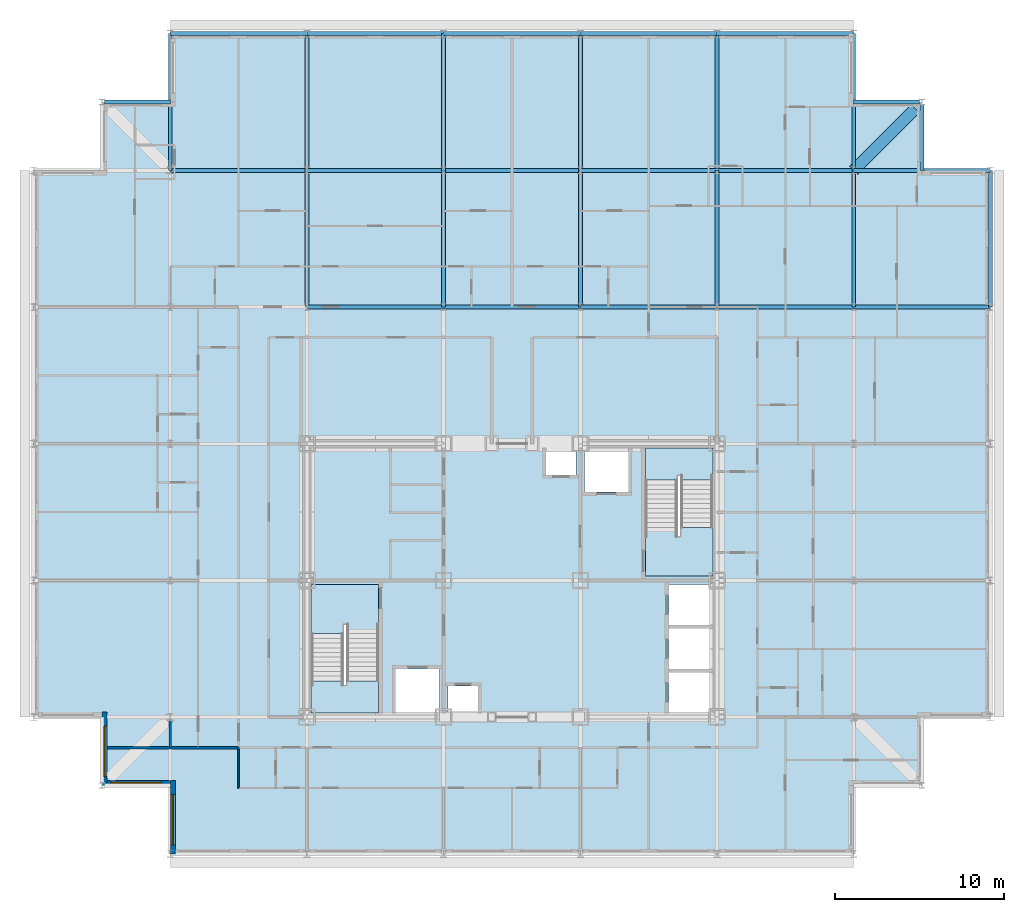
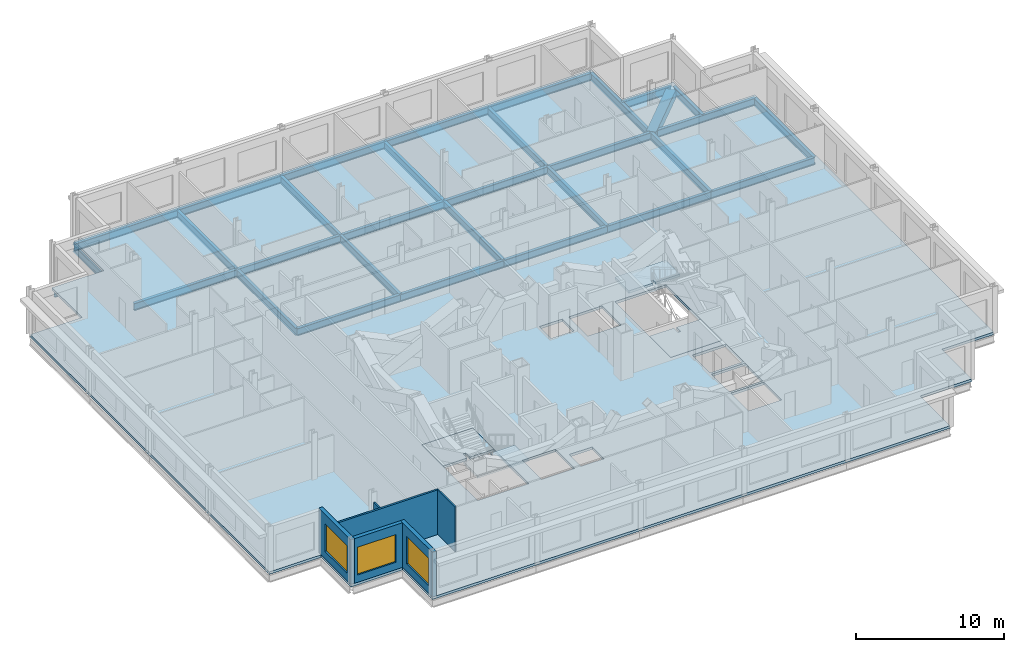
# One storey, part 6 of 15: 32 beams, 6 walls, 5 slabs, 3 windows, 3 openings, 2 elements without a shape of their own.
"""IFC4 building model written with IfcOpenShell, lengths in metres."""

from ifc_helpers import new_model, si_unit, direction, frame, frame_2d, origin, origin_2d, place, context, subcontext, project, spatial, polyline, rectangle, hollow_rectangle, i_section, outline, extrude, material, layer, layer_set, material_profile, profile_set, type_object, element, fill, aggregate, save


model = new_model("IFC4")

# Units and contexts
model_context = context("Model", 3, precision=1e-05, world=origin(), true_north=direction((0.0, 1.0)))
body_context = subcontext(model_context, "Body", "Model", "MODEL_VIEW")
ifc_project = project(units=[si_unit("LENGTHUNIT", "METRE"), si_unit("AREAUNIT", "SQUARE_METRE"), si_unit("VOLUMEUNIT", "CUBIC_METRE"), si_unit("PLANEANGLEUNIT", "RADIAN"), si_unit("MASSUNIT", "GRAM", prefix="KILO")], contexts=[model_context])

# Site, building, storey
site_placement = place(None, origin())
site = spatial("IfcSite", under=ifc_project, at=site_placement, CompositionType="ELEMENT")
building_placement = place(site_placement, origin())
building = spatial("IfcBuilding", under=site, at=building_placement, Name="Kopane Lantern Tower", CompositionType="ELEMENT")
storey_placement = place(building_placement, frame((0.0, 0.0, 281.39990234375)))
storey = spatial("IfcBuildingStorey", under=building, at=storey_placement, Name="L72", CompositionType="ELEMENT", Elevation=281.39990234375)

# Beams
ifc_material_1 = material(Name="Steel S355JR", Category="steel")
ifc_material_profile_1 = material_profile(ifc_material_1, hollow_rectangle(XDim=0.699951171875, YDim=0.699951171875, WallThickness=0.06005859375, at=origin_2d()), Name="BOX 700x700x60")
ifc_profile_set_1 = profile_set([ifc_material_profile_1], Name="Steel S355JR")
beam_type_1 = type_object("IfcBeamType", Name="CORNER TIE BEAM BOX 700x700x60", PredefinedType="BEAM", material=ifc_profile_set_1)
beam_1_placement = place(storey_placement, frame((52.25244140625, 60.3525390625, -0.559814453125), z_axis=(-0.707083148333, -0.70713041325, 0.0), x_axis=(0.70713041325, -0.707083148333, 0.0)))
element("IfcBeam", 1, at=beam_1_placement, inside=storey, type_object=beam_type_1, Name="Corner Tie Beam L72", PredefinedType="BEAM", context=body_context, shape_type="SweptSolid", body=[
    extrude(hollow_rectangle(XDim=0.699951171875, YDim=0.699951171875, WallThickness=0.06005859375, at=origin_2d()), origin(), (0.0, 0.0, 1.0), 5.165283203125),
])
ifc_material_2 = material(Name="Steel S355JR", Category="steel")
ifc_material_profile_2 = material_profile(ifc_material_2, i_section(OverallWidth=0.22900390625, OverallDepth=0.6123046875, WebThickness=0.011962890625, FlangeThickness=0.01953125, FilletRadius=0.0126953125, at=origin_2d()), Name="UB 610x229x125")
ifc_profile_set_2 = profile_set([ifc_material_profile_2], Name="Steel S355JR")
beam_type_2 = type_object("IfcBeamType", Name="EDGE BEAM UB 610x229x125", PredefinedType="BEAM", material=ifc_profile_set_2)
beam_2_placement = place(storey_placement, frame((4.20361328125, 60.75, -0.51611328125), z_axis=(1.0, 0.0, 0.0), x_axis=(0.0, 1.0, 0.0)))
element("IfcBeam", 2, at=beam_2_placement, inside=storey, type_object=beam_type_2, Name="Edge Beam L72", PredefinedType="BEAM", context=body_context, shape_type="SweptSolid", body=[
    extrude(i_section(OverallWidth=0.22900390625, OverallDepth=0.6123046875, WebThickness=0.011962890625, FlangeThickness=0.01953125, FilletRadius=0.0126953125, at=origin_2d()), origin(), (0.0, 0.0, 1.0), 3.896484375),
])
for number, where, z_axis, x_axis, name in (
    (3, (52.496337890625, 60.75, -0.51611328125), (-1.0, 0.0, 0.0), (0.0, -1.0, 0.0), "Edge Beam L72"),
    (4, (52.64990234375, 60.59619140625, -0.51611328125), (0.0, -1.0, 0.0), (1.0, 0.0, 0.0), "Edge Beam L72"),
):
    element("IfcBeam", number, at=place(storey_placement, frame(where, z_axis=z_axis, x_axis=x_axis)), inside=storey, type_object=beam_type_2, Name=name, PredefinedType="BEAM", context=body_context, shape_type="SweptSolid", body=[
        extrude(i_section(OverallWidth=0.22900390625, OverallDepth=0.6123046875, WebThickness=0.011962890625, FlangeThickness=0.01953125, FilletRadius=0.0126953125, at=origin_2d()), origin(), (0.0, 0.0, 1.0), 3.896240234375),
    ])
ifc_material_3 = material(Name="Steel S355JR", Category="steel")
ifc_material_profile_3 = material_profile(ifc_material_3, i_section(OverallWidth=0.22900390625, OverallDepth=0.6123046875, WebThickness=0.011962890625, FlangeThickness=0.01953125, FilletRadius=0.0126953125, at=origin_2d()), Name="UB 610x229x125")
ifc_profile_set_3 = profile_set([ifc_material_profile_3], Name="Steel S355JR")
beam_type_3 = type_object("IfcBeamType", Name="GIRDER UB 610x229x125", PredefinedType="BEAM", material=ifc_profile_set_3)
beam_3_placement = place(storey_placement, frame((8.10009765625, 56.699951171875, -0.51611328125), z_axis=(0.0, 1.0, 0.0), x_axis=(-1.0, 0.0, 0.0)))
element("IfcBeam", 5, at=beam_3_placement, inside=storey, type_object=beam_type_3, Name="Girder L72", PredefinedType="BEAM", context=body_context, shape_type="SweptSolid", body=[
    extrude(i_section(OverallWidth=0.22900390625, OverallDepth=0.6123046875, WebThickness=0.011962890625, FlangeThickness=0.01953125, FilletRadius=0.0126953125, at=origin_2d()), origin(), (0.0, 0.0, 1.0), 8.10009765625),
])
for number, where, z_axis, x_axis, name in (
    (6, (8.10009765625, 56.699951171875, -0.51611328125), (1.0, 0.0, 0.0), (0.0, 1.0, 0.0), "Girder L72"),
    (7, (8.10009765625, 64.800048828125, -0.51611328125), (1.0, 0.0, 0.0), (0.0, 1.0, 0.0), "Girder L72"),
    (8, (16.199951171875, 48.60009765625, -0.51611328125), (0.0, 1.0, 0.0), (-1.0, 0.0, 0.0), "Girder L72"),
):
    element("IfcBeam", number, at=place(storey_placement, frame(where, z_axis=z_axis, x_axis=x_axis)), inside=storey, type_object=beam_type_3, Name=name, PredefinedType="BEAM", context=body_context, shape_type="SweptSolid", body=[
        extrude(i_section(OverallWidth=0.22900390625, OverallDepth=0.6123046875, WebThickness=0.011962890625, FlangeThickness=0.01953125, FilletRadius=0.0126953125, at=origin_2d()), origin(), (0.0, 0.0, 1.0), 8.099853515625),
    ])
for number, where, z_axis, x_axis, name in (
    (9, (16.199951171875, 48.60009765625, -0.51611328125), (1.0, 0.0, 0.0), (0.0, 1.0, 0.0), "Girder L72"),
    (10, (16.199951171875, 56.699951171875, -0.51611328125), (0.0, 1.0, 0.0), (-1.0, 0.0, 0.0), "Girder L72"),
    (11, (16.199951171875, 56.699951171875, -0.51611328125), (1.0, 0.0, 0.0), (0.0, 1.0, 0.0), "Girder L72"),
    (12, (16.199951171875, 64.800048828125, -0.51611328125), (1.0, 0.0, 0.0), (0.0, 1.0, 0.0), "Girder L72"),
):
    element("IfcBeam", number, at=place(storey_placement, frame(where, z_axis=z_axis, x_axis=x_axis)), inside=storey, type_object=beam_type_3, Name=name, PredefinedType="BEAM", context=body_context, shape_type="SweptSolid", body=[
        extrude(i_section(OverallWidth=0.22900390625, OverallDepth=0.6123046875, WebThickness=0.011962890625, FlangeThickness=0.01953125, FilletRadius=0.0126953125, at=origin_2d()), origin(), (0.0, 0.0, 1.0), 8.10009765625),
    ])
for number, where, z_axis, x_axis, name in (
    (13, (24.300048828125, 48.60009765625, -0.51611328125), (0.0, 1.0, 0.0), (-1.0, 0.0, 0.0), "Girder L72"),
    (14, (24.300048828125, 48.60009765625, -0.51611328125), (1.0, 0.0, 0.0), (0.0, 1.0, 0.0), "Girder L72"),
):
    element("IfcBeam", number, at=place(storey_placement, frame(where, z_axis=z_axis, x_axis=x_axis)), inside=storey, type_object=beam_type_3, Name=name, PredefinedType="BEAM", context=body_context, shape_type="SweptSolid", body=[
        extrude(i_section(OverallWidth=0.22900390625, OverallDepth=0.6123046875, WebThickness=0.011962890625, FlangeThickness=0.01953125, FilletRadius=0.0126953125, at=origin_2d()), origin(), (0.0, 0.0, 1.0), 8.099853515625),
    ])
beam_4_placement = place(storey_placement, frame((24.300048828125, 56.699951171875, -0.51611328125), z_axis=(0.0, 1.0, 0.0), x_axis=(-1.0, 0.0, 0.0)))
element("IfcBeam", 15, at=beam_4_placement, inside=storey, type_object=beam_type_3, Name="Girder L72", PredefinedType="BEAM", context=body_context, shape_type="SweptSolid", body=[
    extrude(i_section(OverallWidth=0.22900390625, OverallDepth=0.6123046875, WebThickness=0.011962890625, FlangeThickness=0.01953125, FilletRadius=0.0126953125, at=origin_2d()), origin(), (0.0, 0.0, 1.0), 8.10009765625),
])
for number, where, z_axis, x_axis, name in (
    (16, (24.300048828125, 56.699951171875, -0.51611328125), (1.0, 0.0, 0.0), (0.0, 1.0, 0.0), "Girder L72"),
    (17, (24.300048828125, 64.800048828125, -0.51611328125), (1.0, 0.0, 0.0), (0.0, 1.0, 0.0), "Girder L72"),
    (18, (32.39990234375, 48.60009765625, -0.51611328125), (0.0, 1.0, 0.0), (-1.0, 0.0, 0.0), "Girder L72"),
):
    element("IfcBeam", number, at=place(storey_placement, frame(where, z_axis=z_axis, x_axis=x_axis)), inside=storey, type_object=beam_type_3, Name=name, PredefinedType="BEAM", context=body_context, shape_type="SweptSolid", body=[
        extrude(i_section(OverallWidth=0.22900390625, OverallDepth=0.6123046875, WebThickness=0.011962890625, FlangeThickness=0.01953125, FilletRadius=0.0126953125, at=origin_2d()), origin(), (0.0, 0.0, 1.0), 8.099853515625),
    ])
for number, where, z_axis, x_axis, name in (
    (19, (32.39990234375, 48.60009765625, -0.51611328125), (1.0, 0.0, 0.0), (0.0, 1.0, 0.0), "Girder L72"),
    (20, (32.39990234375, 56.699951171875, -0.51611328125), (0.0, 1.0, 0.0), (-1.0, 0.0, 0.0), "Girder L72"),
    (21, (32.39990234375, 56.699951171875, -0.51611328125), (1.0, 0.0, 0.0), (0.0, 1.0, 0.0), "Girder L72"),
    (22, (32.39990234375, 64.800048828125, -0.51611328125), (1.0, 0.0, 0.0), (0.0, 1.0, 0.0), "Girder L72"),
):
    element("IfcBeam", number, at=place(storey_placement, frame(where, z_axis=z_axis, x_axis=x_axis)), inside=storey, type_object=beam_type_3, Name=name, PredefinedType="BEAM", context=body_context, shape_type="SweptSolid", body=[
        extrude(i_section(OverallWidth=0.22900390625, OverallDepth=0.6123046875, WebThickness=0.011962890625, FlangeThickness=0.01953125, FilletRadius=0.0126953125, at=origin_2d()), origin(), (0.0, 0.0, 1.0), 8.10009765625),
    ])
beam_5_placement = place(storey_placement, frame((40.5, 48.60009765625, -0.51611328125), z_axis=(0.0, 1.0, 0.0), x_axis=(-1.0, 0.0, 0.0)))
element("IfcBeam", 23, at=beam_5_placement, inside=storey, type_object=beam_type_3, Name="Girder L72", PredefinedType="BEAM", context=body_context, shape_type="SweptSolid", body=[
    extrude(i_section(OverallWidth=0.22900390625, OverallDepth=0.6123046875, WebThickness=0.011962890625, FlangeThickness=0.01953125, FilletRadius=0.0126953125, at=origin_2d()), origin(), (0.0, 0.0, 1.0), 8.099853515625),
])
for number, where, z_axis, x_axis, name in (
    (24, (40.5, 48.60009765625, -0.51611328125), (1.0, 0.0, 0.0), (0.0, 1.0, 0.0), "Girder L72"),
    (25, (40.5, 56.699951171875, -0.51611328125), (0.0, 1.0, 0.0), (-1.0, 0.0, 0.0), "Girder L72"),
    (26, (40.5, 56.699951171875, -0.51611328125), (1.0, 0.0, 0.0), (0.0, 1.0, 0.0), "Girder L72"),
    (27, (40.5, 64.800048828125, -0.51611328125), (1.0, 0.0, 0.0), (0.0, 1.0, 0.0), "Girder L72"),
):
    element("IfcBeam", number, at=place(storey_placement, frame(where, z_axis=z_axis, x_axis=x_axis)), inside=storey, type_object=beam_type_3, Name=name, PredefinedType="BEAM", context=body_context, shape_type="SweptSolid", body=[
        extrude(i_section(OverallWidth=0.22900390625, OverallDepth=0.6123046875, WebThickness=0.011962890625, FlangeThickness=0.01953125, FilletRadius=0.0126953125, at=origin_2d()), origin(), (0.0, 0.0, 1.0), 8.10009765625),
    ])
for number, where, z_axis, x_axis, name in (
    (28, (48.60009765625, 48.60009765625, -0.51611328125), (0.0, 1.0, 0.0), (-1.0, 0.0, 0.0), "Girder L72"),
    (29, (48.60009765625, 48.60009765625, -0.51611328125), (1.0, 0.0, 0.0), (0.0, 1.0, 0.0), "Girder L72"),
):
    element("IfcBeam", number, at=place(storey_placement, frame(where, z_axis=z_axis, x_axis=x_axis)), inside=storey, type_object=beam_type_3, Name=name, PredefinedType="BEAM", context=body_context, shape_type="SweptSolid", body=[
        extrude(i_section(OverallWidth=0.22900390625, OverallDepth=0.6123046875, WebThickness=0.011962890625, FlangeThickness=0.01953125, FilletRadius=0.0126953125, at=origin_2d()), origin(), (0.0, 0.0, 1.0), 8.099853515625),
    ])
beam_6_placement = place(storey_placement, frame((48.60009765625, 56.699951171875, -0.51611328125), z_axis=(0.0, 1.0, 0.0), x_axis=(-1.0, 0.0, 0.0)))
element("IfcBeam", 30, at=beam_6_placement, inside=storey, type_object=beam_type_3, Name="Girder L72", PredefinedType="BEAM", context=body_context, shape_type="SweptSolid", body=[
    extrude(i_section(OverallWidth=0.22900390625, OverallDepth=0.6123046875, WebThickness=0.011962890625, FlangeThickness=0.01953125, FilletRadius=0.0126953125, at=origin_2d()), origin(), (0.0, 0.0, 1.0), 8.10009765625),
])
for number, where, z_axis, x_axis, name in (
    (31, (48.60009765625, 56.699951171875, -0.51611328125), (1.0, 0.0, 0.0), (0.0, 1.0, 0.0), "Girder L72"),
    (32, (56.699951171875, 48.60009765625, -0.51611328125), (0.0, 1.0, 0.0), (-1.0, 0.0, 0.0), "Girder L72"),
):
    element("IfcBeam", number, at=place(storey_placement, frame(where, z_axis=z_axis, x_axis=x_axis)), inside=storey, type_object=beam_type_3, Name=name, PredefinedType="BEAM", context=body_context, shape_type="SweptSolid", body=[
        extrude(i_section(OverallWidth=0.22900390625, OverallDepth=0.6123046875, WebThickness=0.011962890625, FlangeThickness=0.01953125, FilletRadius=0.0126953125, at=origin_2d()), origin(), (0.0, 0.0, 1.0), 8.099853515625),
    ])

# Slab
ifc_material_4 = material(Name="Concrete C40/50", Category="concrete")
ifc_layer_1 = layer(ifc_material_4, 0.2099609375)
ifc_layer_set_1 = layer_set([ifc_layer_1], Name="SLAB 210 COMPOSITE")
slab_type_1 = type_object("IfcSlabType", Name="SLAB 210 COMPOSITE", PredefinedType="FLOOR", material=ifc_layer_set_1)
slab_1_placement = place(storey_placement, frame((0.0, 0.0, -0.2099609375)))
element("IfcSlab", 33, at=slab_1_placement, inside=storey, type_object=slab_type_1, Name="Floor slab L72", PredefinedType="FLOOR", context=body_context, shape_type="SweptSolid", body=[
    extrude(outline(polyline([(8.10009765625, 16.199951171875), (48.60009765625, 16.199951171875), (48.60009765625, 20.25), (52.64990234375, 20.25), (52.64990234375, 24.300048828125), (56.699951171875, 24.300048828125), (56.699951171875, 56.699951171875), (52.64990234375, 56.699951171875), (52.64990234375, 60.75), (48.60009765625, 60.75), (48.60009765625, 64.800048828125), (8.10009765625, 64.800048828125), (8.10009765625, 60.75), (4.050048828125, 60.75), (4.050048828125, 56.699951171875), (0.0, 56.699951171875), (0.0, 24.300048828125), (4.050048828125, 24.300048828125), (4.050048828125, 20.25), (8.10009765625, 20.25), (8.10009765625, 16.199951171875)]), holes=[polyline([(16.449951171875, 24.550048828125), (20.449951171875, 24.550048828125), (20.449951171875, 32.14990234375), (16.449951171875, 32.14990234375), (16.449951171875, 24.550048828125)]), polyline([(36.25, 32.64990234375), (40.25, 32.64990234375), (40.25, 40.25), (36.25, 40.25), (36.25, 32.64990234375)]), polyline([(37.64990234375, 24.550048828125), (40.25, 24.550048828125), (40.25, 26.949951171875), (37.64990234375, 26.949951171875), (37.64990234375, 24.550048828125)]), polyline([(37.64990234375, 27.14990234375), (40.25, 27.14990234375), (40.25, 29.550048828125), (37.64990234375, 29.550048828125), (37.64990234375, 27.14990234375)]), polyline([(37.64990234375, 29.75), (40.25, 29.75), (40.25, 32.14990234375), (37.64990234375, 32.14990234375), (37.64990234375, 29.75)]), polyline([(21.449951171875, 24.550048828125), (24.050048828125, 24.550048828125), (24.050048828125, 27.14990234375), (21.449951171875, 27.14990234375), (21.449951171875, 24.550048828125)]), polyline([(32.64990234375, 37.64990234375), (35.25, 37.64990234375), (35.25, 40.25), (32.64990234375, 40.25), (32.64990234375, 37.64990234375)]), polyline([(24.550048828125, 24.550048828125), (26.35009765625, 24.550048828125), (26.35009765625, 26.14990234375), (24.550048828125, 26.14990234375), (24.550048828125, 24.550048828125)]), polyline([(30.35009765625, 38.64990234375), (32.14990234375, 38.64990234375), (32.14990234375, 40.25), (30.35009765625, 40.25), (30.35009765625, 38.64990234375)])]), origin(), (0.0, 0.0, 1.0), 0.2099609375),
])

# Stair, slabs
ifc_material_5 = material(Name="Steel S355JR", Category="steel")
stair_type = type_object("IfcStairType", Name="EXIT STAIR 1900 HALF TURN", PredefinedType="HALF_TURN_STAIR", material=ifc_material_5)
stair_1_placement = place(storey_placement, origin())
stair_1 = element("IfcStair", 34, at=stair_1_placement, inside=storey, type_object=stair_type, Name="Exit stair ST1 L72", PredefinedType="HALF_TURN_STAIR")
ifc_material_6 = material(Name="Concrete C40/50", Category="concrete")
ifc_layer_2 = layer(ifc_material_6, 0.199951171875)
ifc_layer_set_2 = layer_set([ifc_layer_2], Name="STAIR LANDING 200")
slab_type_2 = type_object("IfcSlabType", Name="STAIR LANDING 200", PredefinedType="LANDING", material=ifc_layer_set_2)
slab_2_placement = place(storey_placement, frame((0.0, 0.0, -0.199951171875)))
slab_2 = element("IfcSlab", 35, at=slab_2_placement, type_object=slab_type_2, Name="ST1 landing 1", PredefinedType="LANDING", context=body_context, shape_type="SweptSolid", body=[
    extrude(outline(polyline([(18.35009765625, 29.81005859375), (18.550048828125, 29.81005859375), (18.550048828125, 29.25), (20.449951171875, 29.25), (20.449951171875, 32.14990234375), (16.449951171875, 32.14990234375), (16.449951171875, 29.25), (18.35009765625, 29.25), (18.35009765625, 29.81005859375)])), origin(), (0.0, 0.0, 1.0), 0.199951171875),
])
slab_3_placement = place(storey_placement, frame((0.0, 0.0, 1.8349609375)))
slab_3 = element("IfcSlab", 36, at=slab_3_placement, type_object=slab_type_2, Name="ST1 landing 2", PredefinedType="LANDING", context=body_context, shape_type="SweptSolid", body=[
    extrude(outline(polyline([(20.449951171875, 26.449951171875), (18.550048828125, 26.449951171875), (18.550048828125, 26.169921875), (18.35009765625, 26.169921875), (18.35009765625, 26.449951171875), (16.449951171875, 26.449951171875), (16.449951171875, 24.550048828125), (20.449951171875, 24.550048828125), (20.449951171875, 26.449951171875)])), origin(), (0.0, 0.0, 1.0), 0.199951171875),
])
aggregate(stair_1, [slab_2, slab_3])

stair_2_placement = place(storey_placement, origin())
stair_2 = element("IfcStair", 37, at=stair_2_placement, inside=storey, type_object=stair_type, Name="Exit stair ST2 L72", PredefinedType="HALF_TURN_STAIR")
slab_4_placement = place(storey_placement, frame((0.0, 0.0, -0.199951171875)))
slab_4 = element("IfcSlab", 38, at=slab_4_placement, type_object=slab_type_2, Name="ST2 landing 1", PredefinedType="LANDING", context=body_context, shape_type="SweptSolid", body=[
    extrude(outline(polyline([(40.25, 35.550048828125), (38.35009765625, 35.550048828125), (38.35009765625, 34.989990234375), (38.14990234375, 34.989990234375), (38.14990234375, 35.550048828125), (36.25, 35.550048828125), (36.25, 32.64990234375), (40.25, 32.64990234375), (40.25, 35.550048828125)])), origin(), (0.0, 0.0, 1.0), 0.199951171875),
])
slab_5_placement = place(storey_placement, frame((0.0, 0.0, 1.8349609375)))
slab_5 = element("IfcSlab", 39, at=slab_5_placement, type_object=slab_type_2, Name="ST2 landing 2", PredefinedType="LANDING", context=body_context, shape_type="SweptSolid", body=[
    extrude(outline(polyline([(38.14990234375, 38.6298828125), (38.35009765625, 38.6298828125), (38.35009765625, 38.35009765625), (40.25, 38.35009765625), (40.25, 40.25), (36.25, 40.25), (36.25, 38.35009765625), (38.14990234375, 38.35009765625), (38.14990234375, 38.6298828125)])), origin(), (0.0, 0.0, 1.0), 0.199951171875),
])
aggregate(stair_2, [slab_4, slab_5])

# Walls
ifc_material_7 = material(Name="Gypsum board on steel studs", Category="steel")
ifc_layer_3 = layer(ifc_material_7, 0.1201171875)
ifc_layer_set_3 = layer_set([ifc_layer_3], Name="APARTMENT INTERNAL WALL 120")
wall_type_1 = type_object("IfcWallType", Name="APARTMENT INTERNAL WALL 120", PredefinedType="PARTITIONING", material=ifc_layer_set_3)
wall_1_placement = place(storey_placement, frame((8.10009765625, 22.5, 0.0), z_axis=(0.0, 0.0, 1.0), x_axis=(0.0, 1.0, 0.0)))
element("IfcWall", 40, at=wall_1_placement, inside=storey, type_object=wall_type_1, Name="Apartment Internal Wall 120 L72", PredefinedType="PARTITIONING", context=body_context, shape_type="SweptSolid", body=[
    extrude(rectangle(XDim=1.596923828125, YDim=0.1201171875, at=frame_2d((0.79833984375, 0.0))), origin(), (0.0, 0.0, 1.0), 3.077880859375),
])
ifc_material_8 = material(Name="Moisture-resistant board on steel studs", Category="steel")
ifc_layer_4 = layer(ifc_material_8, 0.10009765625)
ifc_layer_set_4 = layer_set([ifc_layer_4], Name="BATHROOM WALL 100")
wall_type_2 = type_object("IfcWallType", Name="BATHROOM WALL 100", PredefinedType="PARTITIONING", material=ifc_layer_set_4)
wall_2_placement = place(storey_placement, frame((12.14990234375, 22.5, 0.0), z_axis=(0.0, 0.0, 1.0), x_axis=(0.0, -1.0, 0.0)))
element("IfcWall", 41, at=wall_2_placement, inside=storey, type_object=wall_type_2, Name="Bathroom Wall 100 L72", PredefinedType="PARTITIONING", context=body_context, shape_type="SweptSolid", body=[
    extrude(rectangle(XDim=2.39990234375, YDim=0.10009765625, at=frame_2d((1.199951171875, 0.0))), origin(), (0.0, 0.0, 1.0), 3.690185546875),
])
ifc_material_9 = material(Name="Gypsum board on steel studs", Category="steel")
ifc_layer_5 = layer(ifc_material_9, 0.14990234375)
ifc_layer_set_5 = layer_set([ifc_layer_5], Name="DEMISING WALL 150 EI 60")
wall_type_3 = type_object("IfcWallType", Name="DEMISING WALL 150 EI 60", PredefinedType="PARTITIONING", material=ifc_layer_set_5)
wall_3_placement = place(storey_placement, frame((4.35009765625, 22.5, 0.0), z_axis=(0.0, 0.0, 1.0), x_axis=(1.0, 0.0, 0.0)))
element("IfcWall", 42, at=wall_3_placement, inside=storey, type_object=wall_type_3, Name="Demising Wall 150 Ei 60 L72", PredefinedType="PARTITIONING", context=body_context, shape_type="SweptSolid", body=[
    extrude(rectangle(XDim=7.7998046875, YDim=0.14990234375, at=frame_2d((3.89990234375, 0.0))), origin(), (0.0, 0.0, 1.0), 3.690185546875),
])

# Wall, opening, window
ifc_material_10 = material(Name="Terracotta rainscreen on light steel framing", Category="masonry")
ifc_layer_6 = layer(ifc_material_10, 0.300048828125)
ifc_layer_set_6 = layer_set([ifc_layer_6], Name="EXTERNAL WALL EW1 300 TERRACOTTA")
wall_type_4 = type_object("IfcWallType", Name="EXTERNAL WALL EW1 300 TERRACOTTA", PredefinedType="SOLIDWALL", material=ifc_layer_set_6)
wall_4_placement = place(storey_placement, frame((4.199951171875, 24.60009765625, 0.0), z_axis=(0.0, 0.0, 1.0), x_axis=(0.0, -1.0, 0.0)))
wall_4 = element("IfcWall", 43, at=wall_4_placement, inside=storey, type_object=wall_type_4, Name="External wall W L72", PredefinedType="SOLIDWALL", context=body_context, shape_type="SweptSolid", body=[
    extrude(rectangle(XDim=4.35009765625, YDim=0.300048828125, at=frame_2d((2.175048828125, 0.0))), origin(), (0.0, 0.0, 1.0), 3.690185546875),
])
opening_1_placement = place(wall_4_placement, frame((0.824951171875, 0.0, 0.60009765625)))
opening_1 = element("IfcOpeningElement", 44, at=opening_1_placement, cuts=wall_4, Name="Opening WR300230", PredefinedType="OPENING", context=body_context, shape_type="SweptSolid", body=[
    extrude(rectangle(XDim=3.0, YDim=2.300048828125, at=frame_2d((1.5, 1.14990234375))), frame((0.0, 0.159912109375, 0.0), z_axis=(0.0, -1.0, 0.0), x_axis=(1.0, 0.0, 0.0)), (0.0, 0.0, 1.0), 0.320068359375),
])
ifc_material_11 = material(Name="Aluminium and clear glass", Category="aluminium")
window_type = type_object("IfcWindowType", Name="RIBBON WINDOW WR300230 3000x2300", PartitioningType="SINGLE_PANEL", PredefinedType="WINDOW", material=ifc_material_11)
window_1_placement = place(opening_1_placement, origin())
window_1 = element("IfcWindow", 45, at=window_1_placement, inside=storey, type_object=window_type, Name="Window W L72", OverallHeight=2.300048828125, OverallWidth=3.0, PartitioningType="SINGLE_PANEL", PredefinedType="WINDOW", context=body_context, shape_type="SweptSolid", body=[
    extrude(rectangle(XDim=3.0, YDim=2.300048828125, at=frame_2d((1.5, 1.14990234375))), frame((0.0, 0.030029296875, 0.0), z_axis=(0.0, -1.0, 0.0), x_axis=(1.0, 0.0, 0.0)), (0.0, 0.0, 1.0), 0.06005859375),
])
fill(opening_1, window_1)

wall_5_placement = place(storey_placement, frame((4.35009765625, 20.39990234375, 0.0), z_axis=(0.0, 0.0, 1.0), x_axis=(1.0, 0.0, 0.0)))
wall_5 = element("IfcWall", 46, at=wall_5_placement, inside=storey, type_object=wall_type_4, Name="External wall S L72", PredefinedType="SOLIDWALL", context=body_context, shape_type="SweptSolid", body=[
    extrude(rectangle(XDim=3.75, YDim=0.300048828125, at=frame_2d((1.875, 0.0))), origin(), (0.0, 0.0, 1.0), 3.690185546875),
])
opening_2_placement = place(wall_5_placement, frame((0.22509765625, 0.0, 0.60009765625)))
opening_2 = element("IfcOpeningElement", 47, at=opening_2_placement, cuts=wall_5, Name="Opening WR300230", PredefinedType="OPENING", context=body_context, shape_type="SweptSolid", body=[
    extrude(rectangle(XDim=3.0, YDim=2.300048828125, at=frame_2d((1.5, 1.14990234375))), frame((0.0, 0.159912109375, 0.0), z_axis=(0.0, -1.0, 0.0), x_axis=(1.0, 0.0, 0.0)), (0.0, 0.0, 1.0), 0.320068359375),
])
window_2_placement = place(opening_2_placement, origin())
window_2 = element("IfcWindow", 48, at=window_2_placement, inside=storey, type_object=window_type, Name="Window S L72", OverallHeight=2.300048828125, OverallWidth=3.0, PartitioningType="SINGLE_PANEL", PredefinedType="WINDOW", context=body_context, shape_type="SweptSolid", body=[
    extrude(rectangle(XDim=3.0, YDim=2.300048828125, at=frame_2d((1.5, 1.14990234375))), frame((0.0, 0.030029296875, 0.0), z_axis=(0.0, -1.0, 0.0), x_axis=(1.0, 0.0, 0.0)), (0.0, 0.0, 1.0), 0.06005859375),
])
fill(opening_2, window_2)

wall_6_placement = place(storey_placement, frame((8.25, 20.550048828125, 0.0), z_axis=(0.0, 0.0, 1.0), x_axis=(0.0, -1.0, 0.0)))
wall_6 = element("IfcWall", 49, at=wall_6_placement, inside=storey, type_object=wall_type_4, Name="External wall W L72", PredefinedType="SOLIDWALL", context=body_context, shape_type="SweptSolid", body=[
    extrude(rectangle(XDim=4.35009765625, YDim=0.300048828125, at=frame_2d((2.175048828125, 0.0))), origin(), (0.0, 0.0, 1.0), 3.690185546875),
])
opening_3_placement = place(wall_6_placement, frame((0.824951171875, 0.0, 0.60009765625)))
opening_3 = element("IfcOpeningElement", 50, at=opening_3_placement, cuts=wall_6, Name="Opening WR300230", PredefinedType="OPENING", context=body_context, shape_type="SweptSolid", body=[
    extrude(rectangle(XDim=3.0, YDim=2.300048828125, at=frame_2d((1.5, 1.14990234375))), frame((0.0, 0.159912109375, 0.0), z_axis=(0.0, -1.0, 0.0), x_axis=(1.0, 0.0, 0.0)), (0.0, 0.0, 1.0), 0.320068359375),
])
window_3_placement = place(opening_3_placement, origin())
window_3 = element("IfcWindow", 51, at=window_3_placement, inside=storey, type_object=window_type, Name="Window W L72", OverallHeight=2.300048828125, OverallWidth=3.0, PartitioningType="SINGLE_PANEL", PredefinedType="WINDOW", context=body_context, shape_type="SweptSolid", body=[
    extrude(rectangle(XDim=3.0, YDim=2.300048828125, at=frame_2d((1.5, 1.14990234375))), frame((0.0, 0.030029296875, 0.0), z_axis=(0.0, -1.0, 0.0), x_axis=(1.0, 0.0, 0.0)), (0.0, 0.0, 1.0), 0.06005859375),
])
fill(opening_3, window_3)

save(model, "model.ifc")
